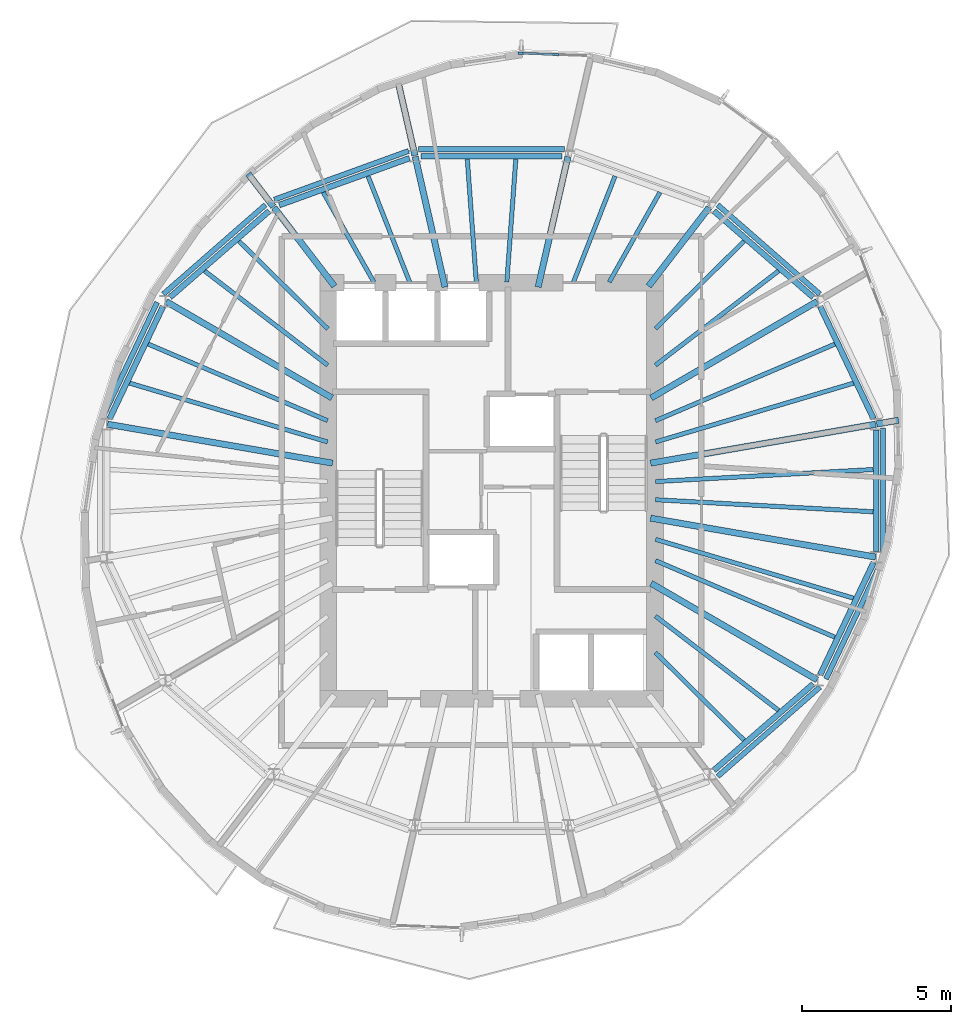
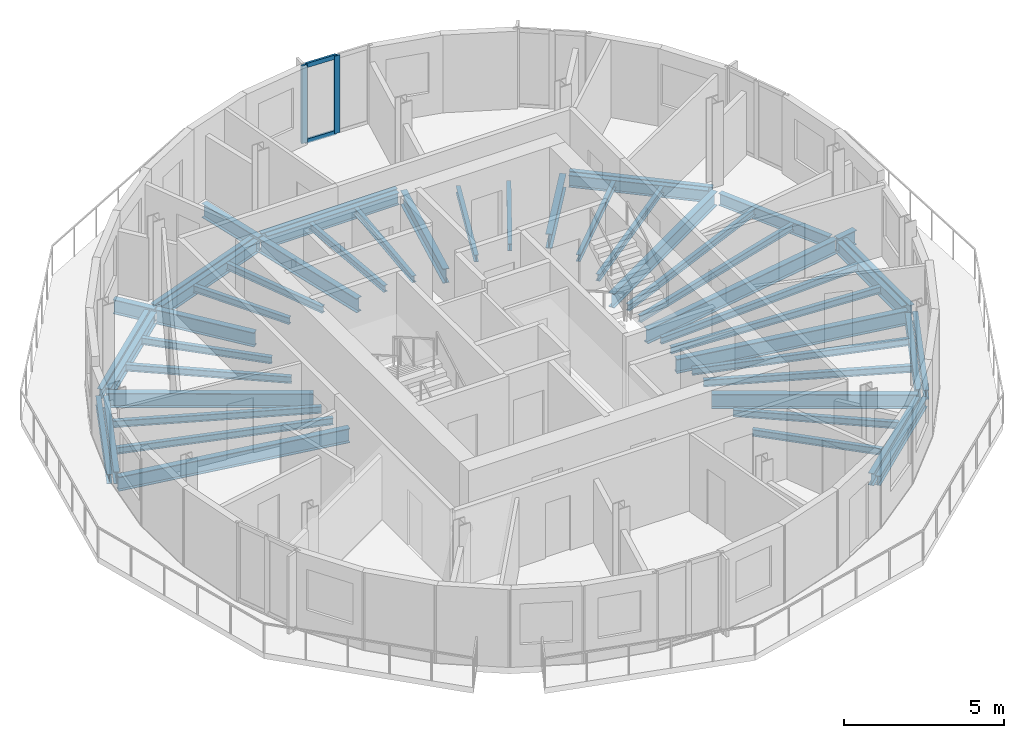
# One storey, part 2 of 11: 50 beams, 4 members, 1 element without a shape of its own.
"""IFC4 building model written with IfcOpenShell, lengths in metres."""

from ifc_helpers import new_model, si_unit, direction, frame, origin, origin_2d, place, context, subcontext, project, spatial, rectangle, i_section, extrude, material, material_profile, profile_set, type_object, element, aggregate, save


model = new_model("IFC4")

# Units and contexts
model_context = context("Model", 3, precision=1e-05, world=origin(), true_north=direction((0.0, 1.0)))
body_context = subcontext(model_context, "Body", "Model", "MODEL_VIEW")
ifc_project = project(units=[si_unit("LENGTHUNIT", "METRE"), si_unit("AREAUNIT", "SQUARE_METRE"), si_unit("VOLUMEUNIT", "CUBIC_METRE"), si_unit("PLANEANGLEUNIT", "RADIAN"), si_unit("MASSUNIT", "GRAM", prefix="KILO")], contexts=[model_context])

# Site, building, storey
site_placement = place(None, origin())
site = spatial("IfcSite", under=ifc_project, at=site_placement, CompositionType="ELEMENT")
building_placement = place(site_placement, origin())
building = spatial("IfcBuilding", under=site, at=building_placement, Name="Veldorim Arch Residences", CompositionType="ELEMENT")
storey_placement = place(building_placement, frame((0.0, 0.0, 236.639892578125)))
storey = spatial("IfcBuildingStorey", under=building, at=storey_placement, Name="L71", CompositionType="ELEMENT", Elevation=236.639892578125)

# Beams
ifc_material_1 = material(Name="Steel S355", Category="steel")
ifc_material_profile_1 = material_profile(ifc_material_1, i_section(OverallWidth=0.2119140625, OverallDepth=0.54443359375, WebThickness=0.0126953125, FlangeThickness=0.021240234375, at=origin_2d()), Name="UB533x210x122")
ifc_profile_set_1 = profile_set([ifc_material_profile_1], Name="Steel S355")
beam_type_1 = type_object("IfcBeamType", Name="Structural Steel Beam UB533x210x122", PredefinedType="BEAM", material=ifc_profile_set_1)
beam_1_placement = place(storey_placement, frame((37.352294921875, 24.92578125, -0.51220703125), z_axis=(0.985364974081, 0.170457818401, 0.0), x_axis=(-0.170457818401, 0.985364974081, 0.0)))
element("IfcBeam", 1, at=beam_1_placement, inside=storey, type_object=beam_type_1, Name="L71 radial floor girder 01", PredefinedType="BEAM", context=body_context, shape_type="SweptSolid", body=[
    extrude(i_section(OverallWidth=0.2119140625, OverallDepth=0.54443359375, WebThickness=0.0126953125, FlangeThickness=0.021240234375, at=origin_2d()), origin(), (0.0, 0.0, 1.0), 7.68701171875),
])
beam_2_placement = place(storey_placement, frame((44.966064453125, 26.242919921875, -0.51220703125), z_axis=(0.985346265547, 0.170565931453, 0.0), x_axis=(-0.170565931453, 0.985346265547, 0.0)))
element("IfcBeam", 2, at=beam_2_placement, inside=storey, type_object=beam_type_1, Name="L71 radial edge cantilever girder 01", PredefinedType="BEAM", context=body_context, shape_type="SweptSolid", body=[
    extrude(i_section(OverallWidth=0.2119140625, OverallDepth=0.54443359375, WebThickness=0.0126953125, FlangeThickness=0.021240234375, at=origin_2d()), origin(), (0.0, 0.0, 1.0), 0.744384765625),
])
beam_3_placement = place(storey_placement, frame((37.370361328125, 27.12060546875, -0.51220703125), z_axis=(0.864595736304, 0.502468121142, 0.0), x_axis=(-0.502468121142, 0.864595736304, 0.0)))
element("IfcBeam", 3, at=beam_3_placement, inside=storey, type_object=beam_type_1, Name="L71 radial floor girder 02", PredefinedType="BEAM", context=body_context, shape_type="SweptSolid", body=[
    extrude(i_section(OverallWidth=0.2119140625, OverallDepth=0.54443359375, WebThickness=0.0126953125, FlangeThickness=0.021240234375, at=origin_2d()), origin(), (0.0, 0.0, 1.0), 6.462646484375),
])
beam_4_placement = place(storey_placement, frame((37.28662109375, 30.881103515625, -0.51220703125), z_axis=(0.609258442308, 0.792971721108, 0.0), x_axis=(-0.792971721108, 0.609258442308, 0.0)))
element("IfcBeam", 4, at=beam_4_placement, inside=storey, type_object=beam_type_1, Name="L71 radial floor girder 03", PredefinedType="BEAM", context=body_context, shape_type="SweptSolid", body=[
    extrude(i_section(OverallWidth=0.2119140625, OverallDepth=0.54443359375, WebThickness=0.0126953125, FlangeThickness=0.021240234375, at=origin_2d()), origin(), (0.0, 0.0, 1.0), 3.339599609375),
])
for number, where, z_axis, x_axis, name in (
    (5, (33.567626953125, 30.853759765625, -0.51220703125), (0.222952976993, 0.97482920045, 0.0), (-0.97482920045, 0.222952976993, 0.0), "L71 radial floor girder 04"),
    (6, (30.432373046875, 30.853759765625, -0.51220703125), (-0.222952976993, 0.97482920045, 0.0), (-0.97482920045, -0.222952976993, 0.0), "L71 radial floor girder 05"),
):
    element("IfcBeam", number, at=place(storey_placement, frame(where, z_axis=z_axis, x_axis=x_axis)), inside=storey, type_object=beam_type_1, Name=name, PredefinedType="BEAM", context=body_context, shape_type="SweptSolid", body=[
        extrude(i_section(OverallWidth=0.2119140625, OverallDepth=0.54443359375, WebThickness=0.0126953125, FlangeThickness=0.021240234375, at=origin_2d()), origin(), (0.0, 0.0, 1.0), 4.49951171875),
    ])
beam_5_placement = place(storey_placement, frame((29.42041015625, 35.27880859375, -0.51220703125), z_axis=(-0.222987741218, 0.974821248879, 0.0), x_axis=(-0.974821248879, -0.222987741218, 0.0)))
element("IfcBeam", 7, at=beam_5_placement, inside=storey, type_object=beam_type_1, Name="L71 radial edge cantilever girder 05", PredefinedType="BEAM", context=body_context, shape_type="SweptSolid", body=[
    extrude(i_section(OverallWidth=0.2119140625, OverallDepth=0.54443359375, WebThickness=0.0126953125, FlangeThickness=0.021240234375, at=origin_2d()), origin(), (0.0, 0.0, 1.0), 2.56298828125),
])
beam_6_placement = place(storey_placement, frame((26.71337890625, 30.881103515625, -0.51220703125), z_axis=(-0.609258442308, 0.792971721108, 0.0), x_axis=(-0.792971721108, -0.609258442308, 0.0)))
element("IfcBeam", 8, at=beam_6_placement, inside=storey, type_object=beam_type_1, Name="L71 radial floor girder 06", PredefinedType="BEAM", context=body_context, shape_type="SweptSolid", body=[
    extrude(i_section(OverallWidth=0.2119140625, OverallDepth=0.54443359375, WebThickness=0.0126953125, FlangeThickness=0.021240234375, at=origin_2d()), origin(), (0.0, 0.0, 1.0), 3.339599609375),
])
beam_7_placement = place(storey_placement, frame((24.654296875, 33.561279296875, -0.51220703125), z_axis=(-0.609217680659, 0.793003037555, 0.0), x_axis=(-0.793003037555, -0.609217680659, 0.0)))
element("IfcBeam", 9, at=beam_7_placement, inside=storey, type_object=beam_type_1, Name="L71 radial edge cantilever girder 06", PredefinedType="BEAM", context=body_context, shape_type="SweptSolid", body=[
    extrude(i_section(OverallWidth=0.2119140625, OverallDepth=0.54443359375, WebThickness=0.0126953125, FlangeThickness=0.021240234375, at=origin_2d()), origin(), (0.0, 0.0, 1.0), 1.38818359375),
])
beam_8_placement = place(storey_placement, frame((26.629638671875, 27.12060546875, -0.51220703125), z_axis=(-0.864595736304, 0.502468121142, 0.0), x_axis=(-0.502468121142, -0.864595736304, 0.0)))
element("IfcBeam", 10, at=beam_8_placement, inside=storey, type_object=beam_type_1, Name="L71 radial floor girder 07", PredefinedType="BEAM", context=body_context, shape_type="SweptSolid", body=[
    extrude(i_section(OverallWidth=0.2119140625, OverallDepth=0.54443359375, WebThickness=0.0126953125, FlangeThickness=0.021240234375, at=origin_2d()), origin(), (0.0, 0.0, 1.0), 6.462646484375),
])
beam_9_placement = place(storey_placement, frame((26.647705078125, 24.92578125, -0.51220703125), z_axis=(-0.985364974081, 0.170457818401, 0.0), x_axis=(-0.170457818401, -0.985364974081, 0.0)))
element("IfcBeam", 11, at=beam_9_placement, inside=storey, type_object=beam_type_1, Name="L71 radial floor girder 08", PredefinedType="BEAM", context=body_context, shape_type="SweptSolid", body=[
    extrude(i_section(OverallWidth=0.2119140625, OverallDepth=0.54443359375, WebThickness=0.0126953125, FlangeThickness=0.021240234375, at=origin_2d()), origin(), (0.0, 0.0, 1.0), 7.68701171875),
])
beam_10_placement = place(storey_placement, frame((37.370361328125, 20.87939453125, -0.51220703125), z_axis=(0.864595736304, -0.502468121142, 0.0), x_axis=(0.502468121142, 0.864595736304, 0.0)))
element("IfcBeam", 12, at=beam_10_placement, inside=storey, type_object=beam_type_1, Name="L71 radial floor girder 15", PredefinedType="BEAM", context=body_context, shape_type="SweptSolid", body=[
    extrude(i_section(OverallWidth=0.2119140625, OverallDepth=0.54443359375, WebThickness=0.0126953125, FlangeThickness=0.021240234375, at=origin_2d()), origin(), (0.0, 0.0, 1.0), 6.462646484375),
])
beam_11_placement = place(storey_placement, frame((37.352294921875, 23.07421875, -0.51220703125), z_axis=(0.985364974081, -0.170457818401, 0.0), x_axis=(0.170457818401, 0.985364974081, 0.0)))
element("IfcBeam", 13, at=beam_11_placement, inside=storey, type_object=beam_type_1, Name="L71 radial floor girder 16", PredefinedType="BEAM", context=body_context, shape_type="SweptSolid", body=[
    extrude(i_section(OverallWidth=0.2119140625, OverallDepth=0.54443359375, WebThickness=0.0126953125, FlangeThickness=0.021240234375, at=origin_2d()), origin(), (0.0, 0.0, 1.0), 7.68701171875),
])
ifc_material_2 = material(Name="Steel S355", Category="steel")
ifc_material_profile_2 = material_profile(ifc_material_2, i_section(OverallWidth=0.146484375, OverallDepth=0.256103515625, WebThickness=0.00634765625, FlangeThickness=0.010986328125, at=origin_2d()), Name="UB254x146x37")
ifc_profile_set_2 = profile_set([ifc_material_profile_2], Name="Steel S355")
beam_type_2 = type_object("IfcBeamType", Name="Structural Steel Joist UB254x146x37", PredefinedType="JOIST", material=ifc_profile_set_2)
beam_12_placement = place(storey_placement, frame((37.519287109375, 25.639404296875, -0.367919921875), z_axis=(0.958594432792, 0.284774846889, 0.0), x_axis=(-0.284774846889, 0.958594432792, 0.0)))
element("IfcBeam", 14, at=beam_12_placement, inside=storey, type_object=beam_type_2, Name="L71 secondary radial floor joist 01-1", PredefinedType="JOIST", context=body_context, shape_type="SweptSolid", body=[
    extrude(i_section(OverallWidth=0.146484375, OverallDepth=0.256103515625, WebThickness=0.00634765625, FlangeThickness=0.010986328125, at=origin_2d()), origin(), (0.0, 0.0, 1.0), 6.949462890625),
])
beam_13_placement = place(storey_placement, frame((37.518310546875, 26.355712890625, -0.367919921875), z_axis=(0.919725161652, 0.392562895629, 0.0), x_axis=(-0.392562895629, 0.919725161652, 0.0)))
element("IfcBeam", 15, at=beam_13_placement, inside=storey, type_object=beam_type_2, Name="L71 secondary radial floor joist 01-2", PredefinedType="JOIST", context=body_context, shape_type="SweptSolid", body=[
    extrude(i_section(OverallWidth=0.146484375, OverallDepth=0.256103515625, WebThickness=0.00634765625, FlangeThickness=0.010986328125, at=origin_2d()), origin(), (0.0, 0.0, 1.0), 6.5625),
])
beam_14_placement = place(storey_placement, frame((37.515869140625, 28.222900390625, -0.367919921875), z_axis=(0.794013672216, 0.607899899929, 0.0), x_axis=(-0.607899899929, 0.794013672216, 0.0)))
element("IfcBeam", 16, at=beam_14_placement, inside=storey, type_object=beam_type_2, Name="L71 secondary radial floor joist 02-1", PredefinedType="JOIST", context=body_context, shape_type="SweptSolid", body=[
    extrude(i_section(OverallWidth=0.146484375, OverallDepth=0.256103515625, WebThickness=0.00634765625, FlangeThickness=0.010986328125, at=origin_2d()), origin(), (0.0, 0.0, 1.0), 5.217041015625),
])
beam_15_placement = place(storey_placement, frame((37.51416015625, 29.44775390625, -0.367919921875), z_axis=(0.711396725432, 0.702790650937, 0.0), x_axis=(-0.702790650937, 0.711396725432, 0.0)))
element("IfcBeam", 17, at=beam_15_placement, inside=storey, type_object=beam_type_2, Name="L71 secondary radial floor joist 02-2", PredefinedType="JOIST", context=body_context, shape_type="SweptSolid", body=[
    extrude(i_section(OverallWidth=0.146484375, OverallDepth=0.256103515625, WebThickness=0.00634765625, FlangeThickness=0.010986328125, at=origin_2d()), origin(), (0.0, 0.0, 1.0), 4.198486328125),
])
beam_16_placement = place(storey_placement, frame((35.960205078125, 31.017333984375, -0.367919921875), z_axis=(0.491452469585, 0.870904397818, 0.0), x_axis=(-0.870904397818, 0.491452469585, 0.0)))
element("IfcBeam", 18, at=beam_16_placement, inside=storey, type_object=beam_type_2, Name="L71 secondary radial floor joist 03-1", PredefinedType="JOIST", context=body_context, shape_type="SweptSolid", body=[
    extrude(i_section(OverallWidth=0.146484375, OverallDepth=0.256103515625, WebThickness=0.00634765625, FlangeThickness=0.010986328125, at=origin_2d()), origin(), (0.0, 0.0, 1.0), 3.472412109375),
])
beam_17_placement = place(storey_placement, frame((34.75634765625, 31.0185546875, -0.367919921875), z_axis=(0.365581383042, 0.930779379001, 0.0), x_axis=(-0.930779379001, 0.365581383042, 0.0)))
element("IfcBeam", 19, at=beam_17_placement, inside=storey, type_object=beam_type_2, Name="L71 secondary radial floor joist 03-2", PredefinedType="JOIST", context=body_context, shape_type="SweptSolid", body=[
    extrude(i_section(OverallWidth=0.146484375, OverallDepth=0.256103515625, WebThickness=0.00634765625, FlangeThickness=0.010986328125, at=origin_2d()), origin(), (0.0, 0.0, 1.0), 3.83056640625),
])
for number, where, z_axis, x_axis, name in (
    (20, (32.513916015625, 31.02001953125, -0.367919921875), (0.072985625899, 0.997332992742, 0.0), (-0.997332992742, 0.072985625899, 0.0), "L71 secondary radial floor joist 04-1"),
    (21, (31.486083984375, 31.02001953125, -0.367919921875), (-0.072985625899, 0.997332992742, 0.0), (-0.997332992742, -0.072985625899, 0.0), "L71 secondary radial floor joist 04-2"),
):
    element("IfcBeam", number, at=place(storey_placement, frame(where, z_axis=z_axis, x_axis=x_axis)), inside=storey, type_object=beam_type_2, Name=name, PredefinedType="JOIST", context=body_context, shape_type="SweptSolid", body=[
        extrude(i_section(OverallWidth=0.146484375, OverallDepth=0.256103515625, WebThickness=0.00634765625, FlangeThickness=0.010986328125, at=origin_2d()), origin(), (0.0, 0.0, 1.0), 4.151123046875),
    ])
beam_18_placement = place(storey_placement, frame((29.24365234375, 31.0185546875, -0.367919921875), z_axis=(-0.365581383042, 0.930779379001, 0.0), x_axis=(-0.930779379001, -0.365581383042, 0.0)))
element("IfcBeam", 22, at=beam_18_placement, inside=storey, type_object=beam_type_2, Name="L71 secondary radial floor joist 05-1", PredefinedType="JOIST", context=body_context, shape_type="SweptSolid", body=[
    extrude(i_section(OverallWidth=0.146484375, OverallDepth=0.256103515625, WebThickness=0.00634765625, FlangeThickness=0.010986328125, at=origin_2d()), origin(), (0.0, 0.0, 1.0), 3.83056640625),
])
beam_19_placement = place(storey_placement, frame((28.039794921875, 31.017333984375, -0.367919921875), z_axis=(-0.491452469585, 0.870904397818, 0.0), x_axis=(-0.870904397818, -0.491452469585, 0.0)))
element("IfcBeam", 23, at=beam_19_placement, inside=storey, type_object=beam_type_2, Name="L71 secondary radial floor joist 05-2", PredefinedType="JOIST", context=body_context, shape_type="SweptSolid", body=[
    extrude(i_section(OverallWidth=0.146484375, OverallDepth=0.256103515625, WebThickness=0.00634765625, FlangeThickness=0.010986328125, at=origin_2d()), origin(), (0.0, 0.0, 1.0), 3.472412109375),
])
beam_20_placement = place(storey_placement, frame((26.48583984375, 29.44775390625, -0.367919921875), z_axis=(-0.711396725432, 0.702790650937, 0.0), x_axis=(-0.702790650937, -0.711396725432, 0.0)))
element("IfcBeam", 24, at=beam_20_placement, inside=storey, type_object=beam_type_2, Name="L71 secondary radial floor joist 06-1", PredefinedType="JOIST", context=body_context, shape_type="SweptSolid", body=[
    extrude(i_section(OverallWidth=0.146484375, OverallDepth=0.256103515625, WebThickness=0.00634765625, FlangeThickness=0.010986328125, at=origin_2d()), origin(), (0.0, 0.0, 1.0), 4.198486328125),
])
beam_21_placement = place(storey_placement, frame((26.484130859375, 28.222900390625, -0.367919921875), z_axis=(-0.794013672216, 0.607899899929, 0.0), x_axis=(-0.607899899929, -0.794013672216, 0.0)))
element("IfcBeam", 25, at=beam_21_placement, inside=storey, type_object=beam_type_2, Name="L71 secondary radial floor joist 06-2", PredefinedType="JOIST", context=body_context, shape_type="SweptSolid", body=[
    extrude(i_section(OverallWidth=0.146484375, OverallDepth=0.256103515625, WebThickness=0.00634765625, FlangeThickness=0.010986328125, at=origin_2d()), origin(), (0.0, 0.0, 1.0), 5.217041015625),
])
beam_22_placement = place(storey_placement, frame((26.481689453125, 26.355712890625, -0.367919921875), z_axis=(-0.919725161652, 0.392562895629, 0.0), x_axis=(-0.392562895629, -0.919725161652, 0.0)))
element("IfcBeam", 26, at=beam_22_placement, inside=storey, type_object=beam_type_2, Name="L71 secondary radial floor joist 07-1", PredefinedType="JOIST", context=body_context, shape_type="SweptSolid", body=[
    extrude(i_section(OverallWidth=0.146484375, OverallDepth=0.256103515625, WebThickness=0.00634765625, FlangeThickness=0.010986328125, at=origin_2d()), origin(), (0.0, 0.0, 1.0), 6.5625),
])
beam_23_placement = place(storey_placement, frame((26.480712890625, 25.639404296875, -0.367919921875), z_axis=(-0.958594432792, 0.284774846889, 0.0), x_axis=(-0.284774846889, -0.958594432792, 0.0)))
element("IfcBeam", 27, at=beam_23_placement, inside=storey, type_object=beam_type_2, Name="L71 secondary radial floor joist 07-2", PredefinedType="JOIST", context=body_context, shape_type="SweptSolid", body=[
    extrude(i_section(OverallWidth=0.146484375, OverallDepth=0.256103515625, WebThickness=0.00634765625, FlangeThickness=0.010986328125, at=origin_2d()), origin(), (0.0, 0.0, 1.0), 6.949462890625),
])
beam_24_placement = place(storey_placement, frame((37.51416015625, 18.55224609375, -0.367919921875), z_axis=(0.711396725432, -0.702790650937, 0.0), x_axis=(0.702790650937, 0.711396725432, 0.0)))
element("IfcBeam", 28, at=beam_24_placement, inside=storey, type_object=beam_type_2, Name="L71 secondary radial floor joist 14-1", PredefinedType="JOIST", context=body_context, shape_type="SweptSolid", body=[
    extrude(i_section(OverallWidth=0.146484375, OverallDepth=0.256103515625, WebThickness=0.00634765625, FlangeThickness=0.010986328125, at=origin_2d()), origin(), (0.0, 0.0, 1.0), 4.198486328125),
])
beam_25_placement = place(storey_placement, frame((37.515869140625, 19.777099609375, -0.367919921875), z_axis=(0.794013672216, -0.607899899929, 0.0), x_axis=(0.607899899929, 0.794013672216, 0.0)))
element("IfcBeam", 29, at=beam_25_placement, inside=storey, type_object=beam_type_2, Name="L71 secondary radial floor joist 14-2", PredefinedType="JOIST", context=body_context, shape_type="SweptSolid", body=[
    extrude(i_section(OverallWidth=0.146484375, OverallDepth=0.256103515625, WebThickness=0.00634765625, FlangeThickness=0.010986328125, at=origin_2d()), origin(), (0.0, 0.0, 1.0), 5.217041015625),
])
beam_26_placement = place(storey_placement, frame((37.518310546875, 21.644287109375, -0.367919921875), z_axis=(0.919725161652, -0.392562895629, 0.0), x_axis=(0.392562895629, 0.919725161652, 0.0)))
element("IfcBeam", 30, at=beam_26_placement, inside=storey, type_object=beam_type_2, Name="L71 secondary radial floor joist 15-1", PredefinedType="JOIST", context=body_context, shape_type="SweptSolid", body=[
    extrude(i_section(OverallWidth=0.146484375, OverallDepth=0.256103515625, WebThickness=0.00634765625, FlangeThickness=0.010986328125, at=origin_2d()), origin(), (0.0, 0.0, 1.0), 6.5625),
])
beam_27_placement = place(storey_placement, frame((37.519287109375, 22.360595703125, -0.367919921875), z_axis=(0.958594432792, -0.284774846889, 0.0), x_axis=(0.284774846889, 0.958594432792, 0.0)))
element("IfcBeam", 31, at=beam_27_placement, inside=storey, type_object=beam_type_2, Name="L71 secondary radial floor joist 15-2", PredefinedType="JOIST", context=body_context, shape_type="SweptSolid", body=[
    extrude(i_section(OverallWidth=0.146484375, OverallDepth=0.256103515625, WebThickness=0.00634765625, FlangeThickness=0.010986328125, at=origin_2d()), origin(), (0.0, 0.0, 1.0), 6.949462890625),
])
for number, where, z_axis, x_axis, name in (
    (32, (37.52001953125, 23.6943359375, -0.367919921875), (0.998472000884, -0.055259962464, 0.0), (0.055259962464, 0.998472000884, 0.0), "L71 secondary radial floor joist 16-1"),
    (33, (37.52001953125, 24.3056640625, -0.367919921875), (0.998472000884, 0.055259962464, 0.0), (-0.055259962464, 0.998472000884, 0.0), "L71 secondary radial floor joist 16-2"),
):
    element("IfcBeam", number, at=place(storey_placement, frame(where, z_axis=z_axis, x_axis=x_axis)), inside=storey, type_object=beam_type_2, Name=name, PredefinedType="JOIST", context=body_context, shape_type="SweptSolid", body=[
        extrude(i_section(OverallWidth=0.146484375, OverallDepth=0.256103515625, WebThickness=0.00634765625, FlangeThickness=0.010986328125, at=origin_2d()), origin(), (0.0, 0.0, 1.0), 7.33837890625),
    ])
ifc_material_3 = material(Name="Steel S355", Category="steel")
ifc_material_profile_3 = material_profile(ifc_material_3, i_section(OverallWidth=0.172119140625, OverallDepth=0.35791015625, WebThickness=0.008056640625, FlangeThickness=0.012939453125, at=origin_2d()), Name="UB356x171x57")
ifc_profile_set_3 = profile_set([ifc_material_profile_3], Name="Steel S355")
beam_type_3 = type_object("IfcBeamType", Name="Structural Steel Spandrel UB356x171x57", PredefinedType="SPANDREL", material=ifc_profile_set_3)
beam_28_placement = place(storey_placement, frame((43.05078125, 30.614013671875, -0.43896484375), z_axis=(-0.752901089301, 0.658133686821, 0.0), x_axis=(-0.658133686821, -0.752901089301, 0.0)))
element("IfcBeam", 34, at=beam_28_placement, inside=storey, type_object=beam_type_3, Name="L71 perimeter chord spandrel beam 02", PredefinedType="SPANDREL", context=body_context, shape_type="SweptSolid", body=[
    extrude(i_section(OverallWidth=0.172119140625, OverallDepth=0.35791015625, WebThickness=0.008056640625, FlangeThickness=0.012939453125, at=origin_2d()), origin(), (0.0, 0.0, 1.0), 4.567626953125),
])
beam_29_placement = place(storey_placement, frame((34.453125, 35.493408203125, -0.43896484375), z_axis=(-1.0, 0.0, 0.0), x_axis=(0.0, -1.0, 0.0)))
element("IfcBeam", 35, at=beam_29_placement, inside=storey, type_object=beam_type_3, Name="L71 perimeter chord spandrel beam 04", PredefinedType="SPANDREL", context=body_context, shape_type="SweptSolid", body=[
    extrude(i_section(OverallWidth=0.172119140625, OverallDepth=0.35791015625, WebThickness=0.008056640625, FlangeThickness=0.012939453125, at=origin_2d()), origin(), (0.0, 0.0, 1.0), 4.90625),
])
beam_30_placement = place(storey_placement, frame((29.206298828125, 35.43359375, -0.43896484375), z_axis=(-0.940181197783, -0.340674794099, 0.0), x_axis=(0.340674794099, -0.940181197783, 0.0)))
element("IfcBeam", 36, at=beam_30_placement, inside=storey, type_object=beam_type_3, Name="L71 perimeter chord spandrel beam 05", PredefinedType="SPANDREL", context=body_context, shape_type="SweptSolid", body=[
    extrude(i_section(OverallWidth=0.172119140625, OverallDepth=0.35791015625, WebThickness=0.008056640625, FlangeThickness=0.012939453125, at=origin_2d()), origin(), (0.0, 0.0, 1.0), 4.80859375),
])
beam_31_placement = place(storey_placement, frame((24.38818359375, 33.6201171875, -0.43896484375), z_axis=(-0.752901089301, -0.658133686821, 0.0), x_axis=(0.658133686821, -0.752901089301, 0.0)))
element("IfcBeam", 37, at=beam_31_placement, inside=storey, type_object=beam_type_3, Name="L71 perimeter chord spandrel beam 06", PredefinedType="SPANDREL", context=body_context, shape_type="SweptSolid", body=[
    extrude(i_section(OverallWidth=0.172119140625, OverallDepth=0.35791015625, WebThickness=0.008056640625, FlangeThickness=0.012939453125, at=origin_2d()), origin(), (0.0, 0.0, 1.0), 4.567626953125),
])
beam_32_placement = place(storey_placement, frame((20.741943359375, 30.33984375, -0.43896484375), z_axis=(-0.428453398876, -0.903563879862, 0.0), x_axis=(0.903563879862, -0.428453398876, 0.0)))
element("IfcBeam", 38, at=beam_32_placement, inside=storey, type_object=beam_type_3, Name="L71 perimeter chord spandrel beam 07", PredefinedType="SPANDREL", context=body_context, shape_type="SweptSolid", body=[
    extrude(i_section(OverallWidth=0.172119140625, OverallDepth=0.35791015625, WebThickness=0.008056640625, FlangeThickness=0.012939453125, at=origin_2d()), origin(), (0.0, 0.0, 1.0), 4.31689453125),
])
beam_33_placement = place(storey_placement, frame((39.61181640625, 14.3798828125, -0.43896484375), z_axis=(0.752901089301, 0.658133686821, 0.0), x_axis=(-0.658133686821, 0.752901089301, 0.0)))
element("IfcBeam", 39, at=beam_33_placement, inside=storey, type_object=beam_type_3, Name="L71 perimeter chord spandrel beam 14", PredefinedType="SPANDREL", context=body_context, shape_type="SweptSolid", body=[
    extrude(i_section(OverallWidth=0.172119140625, OverallDepth=0.35791015625, WebThickness=0.008056640625, FlangeThickness=0.012939453125, at=origin_2d()), origin(), (0.0, 0.0, 1.0), 4.567626953125),
])
beam_34_placement = place(storey_placement, frame((43.258056640625, 17.66015625, -0.43896484375), z_axis=(0.428453398876, 0.903563879862, 0.0), x_axis=(-0.903563879862, 0.428453398876, 0.0)))
element("IfcBeam", 40, at=beam_34_placement, inside=storey, type_object=beam_type_3, Name="L71 perimeter chord spandrel beam 15", PredefinedType="SPANDREL", context=body_context, shape_type="SweptSolid", body=[
    extrude(i_section(OverallWidth=0.172119140625, OverallDepth=0.35791015625, WebThickness=0.008056640625, FlangeThickness=0.012939453125, at=origin_2d()), origin(), (0.0, 0.0, 1.0), 4.31689453125),
])
beam_35_placement = place(storey_placement, frame((45.182861328125, 21.89501953125, -0.43896484375), z_axis=(0.0, 1.0, 0.0), x_axis=(-1.0, 0.0, 0.0)))
element("IfcBeam", 41, at=beam_35_placement, inside=storey, type_object=beam_type_3, Name="L71 perimeter chord spandrel beam 16", PredefinedType="SPANDREL", context=body_context, shape_type="SweptSolid", body=[
    extrude(i_section(OverallWidth=0.172119140625, OverallDepth=0.35791015625, WebThickness=0.008056640625, FlangeThickness=0.012939453125, at=origin_2d()), origin(), (0.0, 0.0, 1.0), 4.2099609375),
])
ifc_material_4 = material(Name="Steel S355", Category="steel")
ifc_material_profile_4 = material_profile(ifc_material_4, i_section(OverallWidth=0.19140625, OverallDepth=0.4599609375, WebThickness=0.010009765625, FlangeThickness=0.01611328125, at=origin_2d()), Name="UB457x191x82")
ifc_profile_set_4 = profile_set([ifc_material_profile_4], Name="Steel S355")
beam_type_4 = type_object("IfcBeamType", Name="Structural Steel Spandrel UB457x191x82", PredefinedType="SPANDREL", material=ifc_profile_set_4)
beam_36_placement = place(storey_placement, frame((44.860595703125, 26.419677734375, -0.469970703125), z_axis=(-0.42997887291, 0.902838949564, 0.0), x_axis=(-0.902838949564, -0.42997887291, 0.0)))
element("IfcBeam", 42, at=beam_36_placement, inside=storey, type_object=beam_type_4, Name="L71 perimeter ring tie beam 01", PredefinedType="SPANDREL", context=body_context, shape_type="SweptSolid", body=[
    extrude(i_section(OverallWidth=0.19140625, OverallDepth=0.4599609375, WebThickness=0.010009765625, FlangeThickness=0.01611328125, at=origin_2d()), origin(), (0.0, 0.0, 1.0), 4.1845703125),
])
beam_37_placement = place(storey_placement, frame((42.824951171875, 30.5087890625, -0.469970703125), z_axis=(-0.754578219063, 0.656210112171, 0.0), x_axis=(-0.656210112171, -0.754578219063, 0.0)))
element("IfcBeam", 43, at=beam_37_placement, inside=storey, type_object=beam_type_4, Name="L71 perimeter ring tie beam 02", PredefinedType="SPANDREL", context=body_context, shape_type="SweptSolid", body=[
    extrude(i_section(OverallWidth=0.19140625, OverallDepth=0.4599609375, WebThickness=0.010009765625, FlangeThickness=0.01611328125, at=origin_2d()), origin(), (0.0, 0.0, 1.0), 4.427734375),
])
beam_38_placement = place(storey_placement, frame((34.375732421875, 35.259521484375, -0.469970703125), z_axis=(-1.0, 0.0, 0.0), x_axis=(0.0, -1.0, 0.0)))
element("IfcBeam", 44, at=beam_38_placement, inside=storey, type_object=beam_type_4, Name="L71 perimeter ring tie beam 04", PredefinedType="SPANDREL", context=body_context, shape_type="SweptSolid", body=[
    extrude(i_section(OverallWidth=0.19140625, OverallDepth=0.4599609375, WebThickness=0.010009765625, FlangeThickness=0.01611328125, at=origin_2d()), origin(), (0.0, 0.0, 1.0), 4.75146484375),
])
beam_39_placement = place(storey_placement, frame((29.237060546875, 35.19189453125, -0.469970703125), z_axis=(-0.940799194754, -0.338964415757, 0.0), x_axis=(0.338964415757, -0.940799194754, 0.0)))
element("IfcBeam", 45, at=beam_39_placement, inside=storey, type_object=beam_type_4, Name="L71 perimeter ring tie beam 05", PredefinedType="SPANDREL", context=body_context, shape_type="SweptSolid", body=[
    extrude(i_section(OverallWidth=0.19140625, OverallDepth=0.4599609375, WebThickness=0.010009765625, FlangeThickness=0.01611328125, at=origin_2d()), origin(), (0.0, 0.0, 1.0), 4.65869140625),
])
beam_40_placement = place(storey_placement, frame((24.51611328125, 33.414306640625, -0.469970703125), z_axis=(-0.754578219063, -0.656210112171, 0.0), x_axis=(0.656210112171, -0.754578219063, 0.0)))
element("IfcBeam", 46, at=beam_40_placement, inside=storey, type_object=beam_type_4, Name="L71 perimeter ring tie beam 06", PredefinedType="SPANDREL", context=body_context, shape_type="SweptSolid", body=[
    extrude(i_section(OverallWidth=0.19140625, OverallDepth=0.4599609375, WebThickness=0.010009765625, FlangeThickness=0.01611328125, at=origin_2d()), origin(), (0.0, 0.0, 1.0), 4.427734375),
])
beam_41_placement = place(storey_placement, frame((20.938720703125, 30.19775390625, -0.469970703125), z_axis=(-0.42997887291, -0.902838949564, 0.0), x_axis=(0.902838949564, -0.42997887291, 0.0)))
element("IfcBeam", 47, at=beam_41_placement, inside=storey, type_object=beam_type_4, Name="L71 perimeter ring tie beam 07", PredefinedType="SPANDREL", context=body_context, shape_type="SweptSolid", body=[
    extrude(i_section(OverallWidth=0.19140625, OverallDepth=0.4599609375, WebThickness=0.010009765625, FlangeThickness=0.01611328125, at=origin_2d()), origin(), (0.0, 0.0, 1.0), 4.1845703125),
])
beam_42_placement = place(storey_placement, frame((39.48388671875, 14.585693359375, -0.469970703125), z_axis=(0.754578219063, 0.656210112171, 0.0), x_axis=(-0.656210112171, 0.754578219063, 0.0)))
element("IfcBeam", 48, at=beam_42_placement, inside=storey, type_object=beam_type_4, Name="L71 perimeter ring tie beam 14", PredefinedType="SPANDREL", context=body_context, shape_type="SweptSolid", body=[
    extrude(i_section(OverallWidth=0.19140625, OverallDepth=0.4599609375, WebThickness=0.010009765625, FlangeThickness=0.01611328125, at=origin_2d()), origin(), (0.0, 0.0, 1.0), 4.427734375),
])
beam_43_placement = place(storey_placement, frame((43.061279296875, 17.80224609375, -0.469970703125), z_axis=(0.42997887291, 0.902838949564, 0.0), x_axis=(-0.902838949564, 0.42997887291, 0.0)))
element("IfcBeam", 49, at=beam_43_placement, inside=storey, type_object=beam_type_4, Name="L71 perimeter ring tie beam 15", PredefinedType="SPANDREL", context=body_context, shape_type="SweptSolid", body=[
    extrude(i_section(OverallWidth=0.19140625, OverallDepth=0.4599609375, WebThickness=0.010009765625, FlangeThickness=0.01611328125, at=origin_2d()), origin(), (0.0, 0.0, 1.0), 4.1845703125),
])
beam_44_placement = place(storey_placement, frame((44.9462890625, 21.9599609375, -0.469970703125), z_axis=(0.0, 1.0, 0.0), x_axis=(-1.0, 0.0, 0.0)))
element("IfcBeam", 50, at=beam_44_placement, inside=storey, type_object=beam_type_4, Name="L71 perimeter ring tie beam 16", PredefinedType="SPANDREL", context=body_context, shape_type="SweptSolid", body=[
    extrude(i_section(OverallWidth=0.19140625, OverallDepth=0.4599609375, WebThickness=0.010009765625, FlangeThickness=0.01611328125, at=origin_2d()), origin(), (0.0, 0.0, 1.0), 4.080078125),
])

# Curtain wall, members
ifc_material_5 = material(Name="Aluminium", Category="aluminium")
curtain_wall_type = type_object("IfcCurtainWallType", Name="Zone 4 High-Altitude Unitised Curtain Wall", PredefinedType="NOTDEFINED", material=ifc_material_5)
curtain_wall_placement = place(storey_placement, origin())
curtain_wall = element("IfcCurtainWall", 51, at=curtain_wall_placement, inside=storey, type_object=curtain_wall_type, Name="L71 unitised curtain wall bay 03", PredefinedType="NOTDEFINED")
ifc_material_6 = material(Name="Aluminium", Category="aluminium")
ifc_material_profile_5 = material_profile(ifc_material_6, rectangle(XDim=0.074951171875, YDim=0.195068359375, at=origin_2d()), Name="ALU_MUL_75x195")
ifc_profile_set_5 = profile_set([ifc_material_profile_5], Name="Aluminium")
member_type_1 = type_object("IfcMemberType", Name="Zone 4 High-Altitude Unitised Curtain Wall Mullion 75x195", PredefinedType="MULLION", material=ifc_profile_set_5)
member_1_placement = place(storey_placement, frame((32.9931640625, 38.722900390625, 0.0), z_axis=(0.0, 0.0, 1.0), x_axis=(0.037606436173, 0.999292627791, 0.0)))
member_1 = element("IfcMember", 52, at=member_1_placement, type_object=member_type_1, Name="CW-Z4 mullion 1", PredefinedType="MULLION", context=body_context, shape_type="SweptSolid", body=[
    extrude(rectangle(XDim=0.074951171875, YDim=0.195068359375, at=origin_2d()), origin(), (0.0, 0.0, 1.0), 2.960205078125),
])
member_2_placement = place(storey_placement, frame((34.148681640625, 38.679443359375, 0.0), z_axis=(0.0, 0.0, 1.0), x_axis=(0.037606436173, 0.999292627791, 0.0)))
member_2 = element("IfcMember", 53, at=member_2_placement, type_object=member_type_1, Name="CW-Z4 mullion 2", PredefinedType="MULLION", context=body_context, shape_type="SweptSolid", body=[
    extrude(rectangle(XDim=0.074951171875, YDim=0.195068359375, at=origin_2d()), origin(), (0.0, 0.0, 1.0), 2.960205078125),
])
ifc_material_7 = material(Name="Aluminium", Category="aluminium")
ifc_material_profile_6 = material_profile(ifc_material_7, rectangle(XDim=0.074951171875, YDim=0.1650390625, at=origin_2d()), Name="ALU_TRN_75x165")
ifc_profile_set_6 = profile_set([ifc_material_profile_6], Name="Aluminium")
member_type_2 = type_object("IfcMemberType", Name="Zone 4 High-Altitude Unitised Curtain Wall Transom 75x165", PredefinedType="USERDEFINED", material=ifc_profile_set_6)
member_3_placement = place(storey_placement, frame((33.03076171875, 38.7216796875, 0.03759765625), z_axis=(0.999288922872, -0.037704756014, 0.0), x_axis=(0.037704756014, 0.999288922872, 0.0)))
member_3 = element("IfcMember", 54, at=member_3_placement, type_object=member_type_2, Name="CW-Z4 transom 1.1", ObjectType="TRANSOM", PredefinedType="USERDEFINED", context=body_context, shape_type="SweptSolid", body=[
    extrude(rectangle(XDim=0.074951171875, YDim=0.1650390625, at=origin_2d()), origin(), (0.0, 0.0, 1.0), 1.081298828125),
])
member_4_placement = place(storey_placement, frame((33.03076171875, 38.7216796875, 2.922607421875), z_axis=(0.999288922872, -0.037704756014, 0.0), x_axis=(0.037704756014, 0.999288922872, 0.0)))
member_4 = element("IfcMember", 55, at=member_4_placement, type_object=member_type_2, Name="CW-Z4 transom 1.2", ObjectType="TRANSOM", PredefinedType="USERDEFINED", context=body_context, shape_type="SweptSolid", body=[
    extrude(rectangle(XDim=0.074951171875, YDim=0.1650390625, at=origin_2d()), origin(), (0.0, 0.0, 1.0), 1.081298828125),
])
aggregate(curtain_wall, [member_1, member_2, member_3, member_4])

save(model, "model.ifc")
